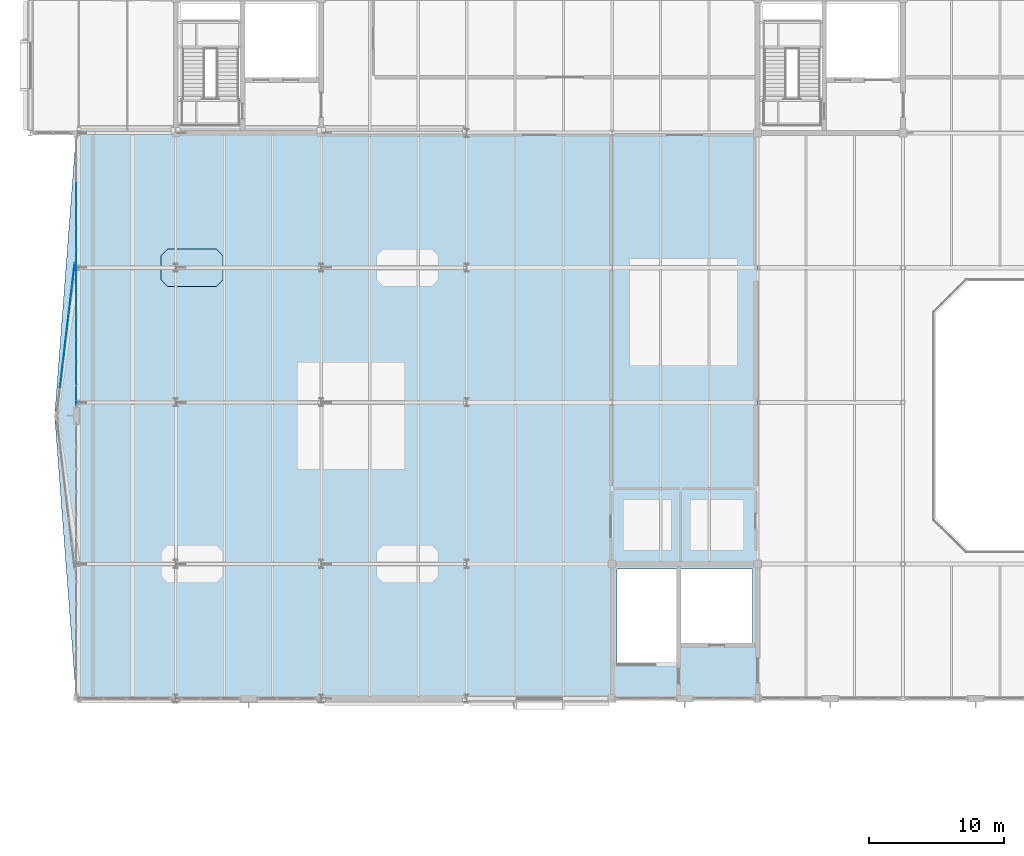
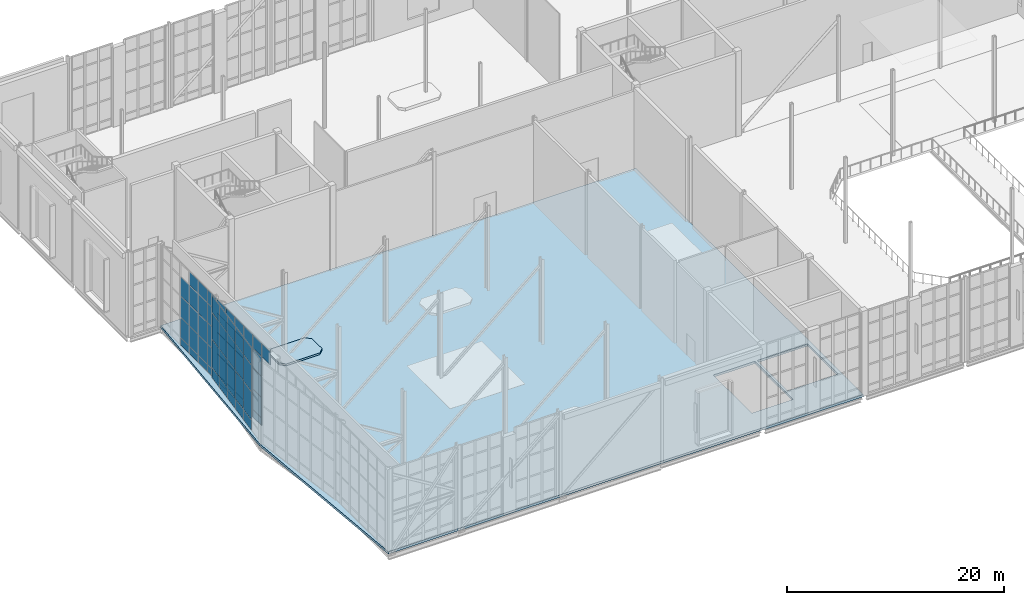
# One storey, part 64 of 100: 65 plates, 2 slabs, 2 elements without a shape of their own.
"""IFC4 building model written with IfcOpenShell, lengths in metres."""

from ifc_helpers import new_model, si_unit, direction, frame, origin, origin_2d, place, context, subcontext, project, spatial, polyline, rectangle, outline, extrude, material, layer, layer_set, type_object, element, aggregate, save


model = new_model("IFC4")

# Units and contexts
model_context = context("Model", 3, precision=1e-05, world=origin(), true_north=direction((0.0, 1.0)))
body_context = subcontext(model_context, "Body", "Model", "MODEL_VIEW")
ifc_project = project(units=[si_unit("LENGTHUNIT", "METRE"), si_unit("AREAUNIT", "SQUARE_METRE"), si_unit("VOLUMEUNIT", "CUBIC_METRE"), si_unit("PLANEANGLEUNIT", "RADIAN"), si_unit("MASSUNIT", "GRAM", prefix="KILO")], contexts=[model_context])

# Site, building, storey
site_placement = place(None, origin())
site = spatial("IfcSite", under=ifc_project, at=site_placement, CompositionType="ELEMENT")
building_placement = place(site_placement, origin())
building = spatial("IfcBuilding", under=site, at=building_placement, Name="Tasgan Crest Museum", CompositionType="ELEMENT")
storey_placement = place(building_placement, frame((0.0, 0.0, 14.39990234375)))
storey = spatial("IfcBuildingStorey", under=building, at=storey_placement, Name="L03", CompositionType="ELEMENT", Elevation=14.39990234375)

# Curtain wall, plates
ifc_material_1 = material(Name="Triple-Glazed Aluminium Curtain Wall", Category="aluminium")
ifc_layer_1 = layer(ifc_material_1, 0.179931640625, Name="CW-CANT-TIP-96")
ifc_layer_set_1 = layer_set([ifc_layer_1], Name="Triple-Glazed Aluminium Curtain Wall")
curtain_wall_type = type_object("IfcCurtainWallType", Name="CW-CANT-TIP-96", PredefinedType="NOTDEFINED", material=ifc_layer_set_1)
curtain_wall_1_placement = place(storey_placement, origin())
curtain_wall_1 = element("IfcCurtainWall", 1, at=curtain_wall_1_placement, inside=storey, type_object=curtain_wall_type, Name="Curtain wall L03 138", PredefinedType="NOTDEFINED")
ifc_material_2 = material(Name="Insulated Spandrel Glass", Category="glass")
ifc_layer_2 = layer(ifc_material_2, 0.052001953125, Name="CW-PANEL-SPANDREL")
ifc_layer_set_2 = layer_set([ifc_layer_2], Name="Insulated Spandrel Glass")
plate_type_1 = type_object("IfcPlateType", Name="CW-PANEL-SPANDREL", PredefinedType="CURTAIN_PANEL", material=ifc_layer_set_2)
plate_1_placement = place(storey_placement, frame((3.39990234375, 77.470458984375, 0.06005859375), z_axis=(0.0, 0.0, 1.0), x_axis=(0.0, -1.0, 0.0)))
plate_1 = element("IfcPlate", 2, at=plate_1_placement, type_object=plate_type_1, Name="CW10 panel 3.1", PredefinedType="CURTAIN_PANEL", context=body_context, shape_type="SweptSolid", body=[
    extrude(rectangle(XDim=1.605712890625, YDim=0.028076171875, at=origin_2d()), origin(), (0.0, 0.0, 1.0), 0.81005859375),
])
plate_2_placement = place(storey_placement, frame((3.39990234375, 75.8046875, 0.06005859375), z_axis=(0.0, 0.0, 1.0), x_axis=(0.0, -1.0, 0.0)))
plate_2 = element("IfcPlate", 3, at=plate_2_placement, type_object=plate_type_1, Name="CW10 panel 4.1", PredefinedType="CURTAIN_PANEL", context=body_context, shape_type="SweptSolid", body=[
    extrude(rectangle(XDim=1.605712890625, YDim=0.028076171875, at=origin_2d()), origin(), (0.0, 0.0, 1.0), 0.81005859375),
])
plate_3_placement = place(storey_placement, frame((3.39990234375, 74.138671875, 0.06005859375), z_axis=(0.0, 0.0, 1.0), x_axis=(0.0, -1.0, 0.0)))
plate_3 = element("IfcPlate", 4, at=plate_3_placement, type_object=plate_type_1, Name="CW10 panel 5.1", PredefinedType="CURTAIN_PANEL", context=body_context, shape_type="SweptSolid", body=[
    extrude(rectangle(XDim=1.605712890625, YDim=0.028076171875, at=origin_2d()), origin(), (0.0, 0.0, 1.0), 0.81005859375),
])
plate_4_placement = place(storey_placement, frame((3.39990234375, 72.472900390625, 0.06005859375), z_axis=(0.0, 0.0, 1.0), x_axis=(0.0, -1.0, 0.0)))
plate_4 = element("IfcPlate", 5, at=plate_4_placement, type_object=plate_type_1, Name="CW10 panel 6.1", PredefinedType="CURTAIN_PANEL", context=body_context, shape_type="SweptSolid", body=[
    extrude(rectangle(XDim=1.605712890625, YDim=0.028076171875, at=origin_2d()), origin(), (0.0, 0.0, 1.0), 0.81005859375),
])
plate_5_placement = place(storey_placement, frame((3.39990234375, 70.80712890625, 0.06005859375), z_axis=(0.0, 0.0, 1.0), x_axis=(0.0, -1.0, 0.0)))
plate_5 = element("IfcPlate", 6, at=plate_5_placement, type_object=plate_type_1, Name="CW10 panel 7.1", PredefinedType="CURTAIN_PANEL", context=body_context, shape_type="SweptSolid", body=[
    extrude(rectangle(XDim=1.605712890625, YDim=0.028076171875, at=origin_2d()), origin(), (0.0, 0.0, 1.0), 0.81005859375),
])
plate_6_placement = place(storey_placement, frame((3.39990234375, 69.141357421875, 0.06005859375), z_axis=(0.0, 0.0, 1.0), x_axis=(0.0, -1.0, 0.0)))
plate_6 = element("IfcPlate", 7, at=plate_6_placement, type_object=plate_type_1, Name="CW10 panel 8.1", PredefinedType="CURTAIN_PANEL", context=body_context, shape_type="SweptSolid", body=[
    extrude(rectangle(XDim=1.605712890625, YDim=0.028076171875, at=origin_2d()), origin(), (0.0, 0.0, 1.0), 0.81005859375),
])
plate_7_placement = place(storey_placement, frame((3.39990234375, 67.475341796875, 0.06005859375), z_axis=(0.0, 0.0, 1.0), x_axis=(0.0, -1.0, 0.0)))
plate_7 = element("IfcPlate", 8, at=plate_7_placement, type_object=plate_type_1, Name="CW10 panel 9.1", PredefinedType="CURTAIN_PANEL", context=body_context, shape_type="SweptSolid", body=[
    extrude(rectangle(XDim=1.605712890625, YDim=0.028076171875, at=origin_2d()), origin(), (0.0, 0.0, 1.0), 0.81005859375),
])
plate_8_placement = place(storey_placement, frame((3.39990234375, 65.8095703125, 0.06005859375), z_axis=(0.0, 0.0, 1.0), x_axis=(0.0, -1.0, 0.0)))
plate_8 = element("IfcPlate", 9, at=plate_8_placement, type_object=plate_type_1, Name="CW10 panel 10.1", PredefinedType="CURTAIN_PANEL", context=body_context, shape_type="SweptSolid", body=[
    extrude(rectangle(XDim=1.605712890625, YDim=0.028076171875, at=origin_2d()), origin(), (0.0, 0.0, 1.0), 0.81005859375),
])
plate_9_placement = place(storey_placement, frame((3.39990234375, 64.143798828125, 0.06005859375), z_axis=(0.0, 0.0, 1.0), x_axis=(0.0, -1.0, 0.0)))
plate_9 = element("IfcPlate", 10, at=plate_9_placement, type_object=plate_type_1, Name="CW10 panel 11.1", PredefinedType="CURTAIN_PANEL", context=body_context, shape_type="SweptSolid", body=[
    extrude(rectangle(XDim=1.605712890625, YDim=0.028076171875, at=origin_2d()), origin(), (0.0, 0.0, 1.0), 0.81005859375),
])
ifc_material_3 = material(Name="Low-E Triple Glazing", Category="glass")
ifc_layer_3 = layer(ifc_material_3, 0.0439453125, Name="CW-PANEL-TRIPLE")
ifc_layer_set_3 = layer_set([ifc_layer_3], Name="Low-E Triple Glazing")
plate_type_2 = type_object("IfcPlateType", Name="CW-PANEL-TRIPLE", PredefinedType="CURTAIN_PANEL", material=ifc_layer_set_3)
plate_10_placement = place(storey_placement, frame((3.39990234375, 77.470458984375, 0.93017578125), z_axis=(0.0, 0.0, 1.0), x_axis=(0.0, -1.0, 0.0)))
plate_10 = element("IfcPlate", 11, at=plate_10_placement, type_object=plate_type_2, Name="CW10 panel 3.2", PredefinedType="CURTAIN_PANEL", context=body_context, shape_type="SweptSolid", body=[
    extrude(rectangle(XDim=1.605712890625, YDim=0.028076171875, at=origin_2d()), origin(), (0.0, 0.0, 1.0), 2.239990234375),
])
plate_11_placement = place(storey_placement, frame((3.39990234375, 77.470458984375, 3.22998046875), z_axis=(0.0, 0.0, 1.0), x_axis=(0.0, -1.0, 0.0)))
plate_11 = element("IfcPlate", 12, at=plate_11_placement, type_object=plate_type_2, Name="CW10 panel 3.3", PredefinedType="CURTAIN_PANEL", context=body_context, shape_type="SweptSolid", body=[
    extrude(rectangle(XDim=1.605712890625, YDim=0.028076171875, at=origin_2d()), origin(), (0.0, 0.0, 1.0), 2.340087890625),
])
plate_12_placement = place(storey_placement, frame((3.39990234375, 77.470458984375, 5.63037109375), z_axis=(0.0, 0.0, 1.0), x_axis=(0.0, -1.0, 0.0)))
plate_12 = element("IfcPlate", 13, at=plate_12_placement, type_object=plate_type_2, Name="CW10 panel 3.4", PredefinedType="CURTAIN_PANEL", context=body_context, shape_type="SweptSolid", body=[
    extrude(rectangle(XDim=1.605712890625, YDim=0.028076171875, at=origin_2d()), origin(), (0.0, 0.0, 1.0), 2.139892578125),
])
plate_13_placement = place(storey_placement, frame((3.39990234375, 75.8046875, 0.93017578125), z_axis=(0.0, 0.0, 1.0), x_axis=(0.0, -1.0, 0.0)))
plate_13 = element("IfcPlate", 14, at=plate_13_placement, type_object=plate_type_2, Name="CW10 panel 4.2", PredefinedType="CURTAIN_PANEL", context=body_context, shape_type="SweptSolid", body=[
    extrude(rectangle(XDim=1.605712890625, YDim=0.028076171875, at=origin_2d()), origin(), (0.0, 0.0, 1.0), 2.239990234375),
])
plate_14_placement = place(storey_placement, frame((3.39990234375, 75.8046875, 3.22998046875), z_axis=(0.0, 0.0, 1.0), x_axis=(0.0, -1.0, 0.0)))
plate_14 = element("IfcPlate", 15, at=plate_14_placement, type_object=plate_type_2, Name="CW10 panel 4.3", PredefinedType="CURTAIN_PANEL", context=body_context, shape_type="SweptSolid", body=[
    extrude(rectangle(XDim=1.605712890625, YDim=0.028076171875, at=origin_2d()), origin(), (0.0, 0.0, 1.0), 2.340087890625),
])
plate_15_placement = place(storey_placement, frame((3.39990234375, 75.8046875, 5.63037109375), z_axis=(0.0, 0.0, 1.0), x_axis=(0.0, -1.0, 0.0)))
plate_15 = element("IfcPlate", 16, at=plate_15_placement, type_object=plate_type_2, Name="CW10 panel 4.4", PredefinedType="CURTAIN_PANEL", context=body_context, shape_type="SweptSolid", body=[
    extrude(rectangle(XDim=1.605712890625, YDim=0.028076171875, at=origin_2d()), origin(), (0.0, 0.0, 1.0), 2.139892578125),
])
plate_16_placement = place(storey_placement, frame((3.39990234375, 75.8046875, 7.830078125), z_axis=(0.0, 0.0, 1.0), x_axis=(0.0, -1.0, 0.0)))
plate_16 = element("IfcPlate", 17, at=plate_16_placement, type_object=plate_type_2, Name="CW10 panel 4.5", PredefinedType="CURTAIN_PANEL", context=body_context, shape_type="SweptSolid", body=[
    extrude(rectangle(XDim=1.605712890625, YDim=0.028076171875, at=origin_2d()), origin(), (0.0, 0.0, 1.0), 1.469970703125),
])
plate_17_placement = place(storey_placement, frame((3.39990234375, 74.138671875, 0.93017578125), z_axis=(0.0, 0.0, 1.0), x_axis=(0.0, -1.0, 0.0)))
plate_17 = element("IfcPlate", 18, at=plate_17_placement, type_object=plate_type_2, Name="CW10 panel 5.2", PredefinedType="CURTAIN_PANEL", context=body_context, shape_type="SweptSolid", body=[
    extrude(rectangle(XDim=1.605712890625, YDim=0.028076171875, at=origin_2d()), origin(), (0.0, 0.0, 1.0), 2.239990234375),
])
plate_18_placement = place(storey_placement, frame((3.39990234375, 74.138671875, 3.22998046875), z_axis=(0.0, 0.0, 1.0), x_axis=(0.0, -1.0, 0.0)))
plate_18 = element("IfcPlate", 19, at=plate_18_placement, type_object=plate_type_2, Name="CW10 panel 5.3", PredefinedType="CURTAIN_PANEL", context=body_context, shape_type="SweptSolid", body=[
    extrude(rectangle(XDim=1.605712890625, YDim=0.028076171875, at=origin_2d()), origin(), (0.0, 0.0, 1.0), 2.340087890625),
])
plate_19_placement = place(storey_placement, frame((3.39990234375, 74.138671875, 5.63037109375), z_axis=(0.0, 0.0, 1.0), x_axis=(0.0, -1.0, 0.0)))
plate_19 = element("IfcPlate", 20, at=plate_19_placement, type_object=plate_type_2, Name="CW10 panel 5.4", PredefinedType="CURTAIN_PANEL", context=body_context, shape_type="SweptSolid", body=[
    extrude(rectangle(XDim=1.605712890625, YDim=0.028076171875, at=origin_2d()), origin(), (0.0, 0.0, 1.0), 2.139892578125),
])
plate_20_placement = place(storey_placement, frame((3.39990234375, 74.138671875, 7.830078125), z_axis=(0.0, 0.0, 1.0), x_axis=(0.0, -1.0, 0.0)))
plate_20 = element("IfcPlate", 21, at=plate_20_placement, type_object=plate_type_2, Name="CW10 panel 5.5", PredefinedType="CURTAIN_PANEL", context=body_context, shape_type="SweptSolid", body=[
    extrude(rectangle(XDim=1.605712890625, YDim=0.028076171875, at=origin_2d()), origin(), (0.0, 0.0, 1.0), 1.469970703125),
])
plate_21_placement = place(storey_placement, frame((3.39990234375, 72.472900390625, 0.93017578125), z_axis=(0.0, 0.0, 1.0), x_axis=(0.0, -1.0, 0.0)))
plate_21 = element("IfcPlate", 22, at=plate_21_placement, type_object=plate_type_2, Name="CW10 panel 6.2", PredefinedType="CURTAIN_PANEL", context=body_context, shape_type="SweptSolid", body=[
    extrude(rectangle(XDim=1.605712890625, YDim=0.028076171875, at=origin_2d()), origin(), (0.0, 0.0, 1.0), 2.239990234375),
])
plate_22_placement = place(storey_placement, frame((3.39990234375, 72.472900390625, 3.22998046875), z_axis=(0.0, 0.0, 1.0), x_axis=(0.0, -1.0, 0.0)))
plate_22 = element("IfcPlate", 23, at=plate_22_placement, type_object=plate_type_2, Name="CW10 panel 6.3", PredefinedType="CURTAIN_PANEL", context=body_context, shape_type="SweptSolid", body=[
    extrude(rectangle(XDim=1.605712890625, YDim=0.028076171875, at=origin_2d()), origin(), (0.0, 0.0, 1.0), 2.340087890625),
])
plate_23_placement = place(storey_placement, frame((3.39990234375, 72.472900390625, 5.63037109375), z_axis=(0.0, 0.0, 1.0), x_axis=(0.0, -1.0, 0.0)))
plate_23 = element("IfcPlate", 24, at=plate_23_placement, type_object=plate_type_2, Name="CW10 panel 6.4", PredefinedType="CURTAIN_PANEL", context=body_context, shape_type="SweptSolid", body=[
    extrude(rectangle(XDim=1.605712890625, YDim=0.028076171875, at=origin_2d()), origin(), (0.0, 0.0, 1.0), 2.139892578125),
])
plate_24_placement = place(storey_placement, frame((3.39990234375, 72.472900390625, 7.830078125), z_axis=(0.0, 0.0, 1.0), x_axis=(0.0, -1.0, 0.0)))
plate_24 = element("IfcPlate", 25, at=plate_24_placement, type_object=plate_type_2, Name="CW10 panel 6.5", PredefinedType="CURTAIN_PANEL", context=body_context, shape_type="SweptSolid", body=[
    extrude(rectangle(XDim=1.605712890625, YDim=0.028076171875, at=origin_2d()), origin(), (0.0, 0.0, 1.0), 1.469970703125),
])
plate_25_placement = place(storey_placement, frame((3.39990234375, 70.80712890625, 0.93017578125), z_axis=(0.0, 0.0, 1.0), x_axis=(0.0, -1.0, 0.0)))
plate_25 = element("IfcPlate", 26, at=plate_25_placement, type_object=plate_type_2, Name="CW10 panel 7.2", PredefinedType="CURTAIN_PANEL", context=body_context, shape_type="SweptSolid", body=[
    extrude(rectangle(XDim=1.605712890625, YDim=0.028076171875, at=origin_2d()), origin(), (0.0, 0.0, 1.0), 2.239990234375),
])
plate_26_placement = place(storey_placement, frame((3.39990234375, 70.80712890625, 3.22998046875), z_axis=(0.0, 0.0, 1.0), x_axis=(0.0, -1.0, 0.0)))
plate_26 = element("IfcPlate", 27, at=plate_26_placement, type_object=plate_type_2, Name="CW10 panel 7.3", PredefinedType="CURTAIN_PANEL", context=body_context, shape_type="SweptSolid", body=[
    extrude(rectangle(XDim=1.605712890625, YDim=0.028076171875, at=origin_2d()), origin(), (0.0, 0.0, 1.0), 2.340087890625),
])
plate_27_placement = place(storey_placement, frame((3.39990234375, 70.80712890625, 5.63037109375), z_axis=(0.0, 0.0, 1.0), x_axis=(0.0, -1.0, 0.0)))
plate_27 = element("IfcPlate", 28, at=plate_27_placement, type_object=plate_type_2, Name="CW10 panel 7.4", PredefinedType="CURTAIN_PANEL", context=body_context, shape_type="SweptSolid", body=[
    extrude(rectangle(XDim=1.605712890625, YDim=0.028076171875, at=origin_2d()), origin(), (0.0, 0.0, 1.0), 2.139892578125),
])
plate_28_placement = place(storey_placement, frame((3.39990234375, 70.80712890625, 7.830078125), z_axis=(0.0, 0.0, 1.0), x_axis=(0.0, -1.0, 0.0)))
plate_28 = element("IfcPlate", 29, at=plate_28_placement, type_object=plate_type_2, Name="CW10 panel 7.5", PredefinedType="CURTAIN_PANEL", context=body_context, shape_type="SweptSolid", body=[
    extrude(rectangle(XDim=1.605712890625, YDim=0.028076171875, at=origin_2d()), origin(), (0.0, 0.0, 1.0), 1.469970703125),
])
plate_29_placement = place(storey_placement, frame((3.39990234375, 69.141357421875, 0.93017578125), z_axis=(0.0, 0.0, 1.0), x_axis=(0.0, -1.0, 0.0)))
plate_29 = element("IfcPlate", 30, at=plate_29_placement, type_object=plate_type_2, Name="CW10 panel 8.2", PredefinedType="CURTAIN_PANEL", context=body_context, shape_type="SweptSolid", body=[
    extrude(rectangle(XDim=1.605712890625, YDim=0.028076171875, at=origin_2d()), origin(), (0.0, 0.0, 1.0), 2.239990234375),
])
plate_30_placement = place(storey_placement, frame((3.39990234375, 69.141357421875, 3.22998046875), z_axis=(0.0, 0.0, 1.0), x_axis=(0.0, -1.0, 0.0)))
plate_30 = element("IfcPlate", 31, at=plate_30_placement, type_object=plate_type_2, Name="CW10 panel 8.3", PredefinedType="CURTAIN_PANEL", context=body_context, shape_type="SweptSolid", body=[
    extrude(rectangle(XDim=1.605712890625, YDim=0.028076171875, at=origin_2d()), origin(), (0.0, 0.0, 1.0), 2.340087890625),
])
plate_31_placement = place(storey_placement, frame((3.39990234375, 69.141357421875, 5.63037109375), z_axis=(0.0, 0.0, 1.0), x_axis=(0.0, -1.0, 0.0)))
plate_31 = element("IfcPlate", 32, at=plate_31_placement, type_object=plate_type_2, Name="CW10 panel 8.4", PredefinedType="CURTAIN_PANEL", context=body_context, shape_type="SweptSolid", body=[
    extrude(rectangle(XDim=1.605712890625, YDim=0.028076171875, at=origin_2d()), origin(), (0.0, 0.0, 1.0), 2.139892578125),
])
plate_32_placement = place(storey_placement, frame((3.39990234375, 69.141357421875, 7.830078125), z_axis=(0.0, 0.0, 1.0), x_axis=(0.0, -1.0, 0.0)))
plate_32 = element("IfcPlate", 33, at=plate_32_placement, type_object=plate_type_2, Name="CW10 panel 8.5", PredefinedType="CURTAIN_PANEL", context=body_context, shape_type="SweptSolid", body=[
    extrude(rectangle(XDim=1.605712890625, YDim=0.028076171875, at=origin_2d()), origin(), (0.0, 0.0, 1.0), 1.469970703125),
])
plate_33_placement = place(storey_placement, frame((3.39990234375, 67.475341796875, 0.93017578125), z_axis=(0.0, 0.0, 1.0), x_axis=(0.0, -1.0, 0.0)))
plate_33 = element("IfcPlate", 34, at=plate_33_placement, type_object=plate_type_2, Name="CW10 panel 9.2", PredefinedType="CURTAIN_PANEL", context=body_context, shape_type="SweptSolid", body=[
    extrude(rectangle(XDim=1.605712890625, YDim=0.028076171875, at=origin_2d()), origin(), (0.0, 0.0, 1.0), 2.239990234375),
])
plate_34_placement = place(storey_placement, frame((3.39990234375, 67.475341796875, 3.22998046875), z_axis=(0.0, 0.0, 1.0), x_axis=(0.0, -1.0, 0.0)))
plate_34 = element("IfcPlate", 35, at=plate_34_placement, type_object=plate_type_2, Name="CW10 panel 9.3", PredefinedType="CURTAIN_PANEL", context=body_context, shape_type="SweptSolid", body=[
    extrude(rectangle(XDim=1.605712890625, YDim=0.028076171875, at=origin_2d()), origin(), (0.0, 0.0, 1.0), 2.340087890625),
])
plate_35_placement = place(storey_placement, frame((3.39990234375, 67.475341796875, 5.63037109375), z_axis=(0.0, 0.0, 1.0), x_axis=(0.0, -1.0, 0.0)))
plate_35 = element("IfcPlate", 36, at=plate_35_placement, type_object=plate_type_2, Name="CW10 panel 9.4", PredefinedType="CURTAIN_PANEL", context=body_context, shape_type="SweptSolid", body=[
    extrude(rectangle(XDim=1.605712890625, YDim=0.028076171875, at=origin_2d()), origin(), (0.0, 0.0, 1.0), 2.139892578125),
])
plate_36_placement = place(storey_placement, frame((3.39990234375, 67.475341796875, 7.830078125), z_axis=(0.0, 0.0, 1.0), x_axis=(0.0, -1.0, 0.0)))
plate_36 = element("IfcPlate", 37, at=plate_36_placement, type_object=plate_type_2, Name="CW10 panel 9.5", PredefinedType="CURTAIN_PANEL", context=body_context, shape_type="SweptSolid", body=[
    extrude(rectangle(XDim=1.605712890625, YDim=0.028076171875, at=origin_2d()), origin(), (0.0, 0.0, 1.0), 1.469970703125),
])
plate_37_placement = place(storey_placement, frame((3.39990234375, 65.8095703125, 0.93017578125), z_axis=(0.0, 0.0, 1.0), x_axis=(0.0, -1.0, 0.0)))
plate_37 = element("IfcPlate", 38, at=plate_37_placement, type_object=plate_type_2, Name="CW10 panel 10.2", PredefinedType="CURTAIN_PANEL", context=body_context, shape_type="SweptSolid", body=[
    extrude(rectangle(XDim=1.605712890625, YDim=0.028076171875, at=origin_2d()), origin(), (0.0, 0.0, 1.0), 2.239990234375),
])
plate_38_placement = place(storey_placement, frame((3.39990234375, 65.8095703125, 3.22998046875), z_axis=(0.0, 0.0, 1.0), x_axis=(0.0, -1.0, 0.0)))
plate_38 = element("IfcPlate", 39, at=plate_38_placement, type_object=plate_type_2, Name="CW10 panel 10.3", PredefinedType="CURTAIN_PANEL", context=body_context, shape_type="SweptSolid", body=[
    extrude(rectangle(XDim=1.605712890625, YDim=0.028076171875, at=origin_2d()), origin(), (0.0, 0.0, 1.0), 2.340087890625),
])
plate_39_placement = place(storey_placement, frame((3.39990234375, 65.8095703125, 5.63037109375), z_axis=(0.0, 0.0, 1.0), x_axis=(0.0, -1.0, 0.0)))
plate_39 = element("IfcPlate", 40, at=plate_39_placement, type_object=plate_type_2, Name="CW10 panel 10.4", PredefinedType="CURTAIN_PANEL", context=body_context, shape_type="SweptSolid", body=[
    extrude(rectangle(XDim=1.605712890625, YDim=0.028076171875, at=origin_2d()), origin(), (0.0, 0.0, 1.0), 2.139892578125),
])
plate_40_placement = place(storey_placement, frame((3.39990234375, 65.8095703125, 7.830078125), z_axis=(0.0, 0.0, 1.0), x_axis=(0.0, -1.0, 0.0)))
plate_40 = element("IfcPlate", 41, at=plate_40_placement, type_object=plate_type_2, Name="CW10 panel 10.5", PredefinedType="CURTAIN_PANEL", context=body_context, shape_type="SweptSolid", body=[
    extrude(rectangle(XDim=1.605712890625, YDim=0.028076171875, at=origin_2d()), origin(), (0.0, 0.0, 1.0), 1.469970703125),
])
plate_41_placement = place(storey_placement, frame((3.39990234375, 64.143798828125, 0.93017578125), z_axis=(0.0, 0.0, 1.0), x_axis=(0.0, -1.0, 0.0)))
plate_41 = element("IfcPlate", 42, at=plate_41_placement, type_object=plate_type_2, Name="CW10 panel 11.2", PredefinedType="CURTAIN_PANEL", context=body_context, shape_type="SweptSolid", body=[
    extrude(rectangle(XDim=1.605712890625, YDim=0.028076171875, at=origin_2d()), origin(), (0.0, 0.0, 1.0), 2.239990234375),
])
plate_42_placement = place(storey_placement, frame((3.39990234375, 64.143798828125, 3.22998046875), z_axis=(0.0, 0.0, 1.0), x_axis=(0.0, -1.0, 0.0)))
plate_42 = element("IfcPlate", 43, at=plate_42_placement, type_object=plate_type_2, Name="CW10 panel 11.3", PredefinedType="CURTAIN_PANEL", context=body_context, shape_type="SweptSolid", body=[
    extrude(rectangle(XDim=1.605712890625, YDim=0.028076171875, at=origin_2d()), origin(), (0.0, 0.0, 1.0), 2.340087890625),
])
plate_43_placement = place(storey_placement, frame((3.39990234375, 64.143798828125, 5.63037109375), z_axis=(0.0, 0.0, 1.0), x_axis=(0.0, -1.0, 0.0)))
plate_43 = element("IfcPlate", 44, at=plate_43_placement, type_object=plate_type_2, Name="CW10 panel 11.4", PredefinedType="CURTAIN_PANEL", context=body_context, shape_type="SweptSolid", body=[
    extrude(rectangle(XDim=1.605712890625, YDim=0.028076171875, at=origin_2d()), origin(), (0.0, 0.0, 1.0), 2.139892578125),
])
plate_44_placement = place(storey_placement, frame((3.39990234375, 64.143798828125, 7.830078125), z_axis=(0.0, 0.0, 1.0), x_axis=(0.0, -1.0, 0.0)))
plate_44 = element("IfcPlate", 45, at=plate_44_placement, type_object=plate_type_2, Name="CW10 panel 11.5", PredefinedType="CURTAIN_PANEL", context=body_context, shape_type="SweptSolid", body=[
    extrude(rectangle(XDim=1.605712890625, YDim=0.028076171875, at=origin_2d()), origin(), (0.0, 0.0, 1.0), 1.469970703125),
])
plate_45_placement = place(storey_placement, frame((3.39990234375, 62.492919921875, 7.830078125), z_axis=(0.0, 0.0, 1.0), x_axis=(0.0, -1.0, 0.0)))
plate_45 = element("IfcPlate", 46, at=plate_45_placement, type_object=plate_type_2, Name="CW10 panel 12.5", PredefinedType="CURTAIN_PANEL", context=body_context, shape_type="SweptSolid", body=[
    extrude(rectangle(XDim=1.575927734375, YDim=0.028076171875, at=origin_2d()), origin(), (0.0, 0.0, 1.0), 1.469970703125),
])
aggregate(curtain_wall_1, [plate_1, plate_10, plate_11, plate_12, plate_2, plate_13, plate_14, plate_15, plate_16, plate_3, plate_17, plate_18, plate_19, plate_20, plate_4, plate_21, plate_22, plate_23, plate_24, plate_5, plate_25, plate_26, plate_27, plate_28, plate_6, plate_29, plate_30, plate_31, plate_32, plate_7, plate_33, plate_34, plate_35, plate_36, plate_8, plate_37, plate_38, plate_39, plate_40, plate_9, plate_41, plate_42, plate_43, plate_44, plate_45])

curtain_wall_2_placement = place(storey_placement, origin())
curtain_wall_2 = element("IfcCurtainWall", 47, at=curtain_wall_2_placement, inside=storey, type_object=curtain_wall_type, Name="Cantilevered prow curtain wall L03 PROW-N", PredefinedType="NOTDEFINED")
plate_46_placement = place(storey_placement, frame((2.31005859375, 64.03759765625, 0.06005859375), z_axis=(0.0, 0.0, 1.0), x_axis=(0.117564672774, 0.993065228329, 0.0)))
plate_46 = element("IfcPlate", 48, at=plate_46_placement, type_object=plate_type_2, Name="CW10 panel 2.1", PredefinedType="CURTAIN_PANEL", context=body_context, shape_type="SweptSolid", body=[
    extrude(rectangle(XDim=1.811279296875, YDim=0.028076171875, at=origin_2d()), origin(), (0.0, 0.0, 1.0), 1.110107421875),
])
plate_47_placement = place(storey_placement, frame((2.31005859375, 64.03759765625, 1.22998046875), z_axis=(0.0, 0.0, 1.0), x_axis=(0.117564672774, 0.993065228329, 0.0)))
plate_47 = element("IfcPlate", 49, at=plate_47_placement, type_object=plate_type_2, Name="CW10 panel 2.2", PredefinedType="CURTAIN_PANEL", context=body_context, shape_type="SweptSolid", body=[
    extrude(rectangle(XDim=1.811279296875, YDim=0.028076171875, at=origin_2d()), origin(), (0.0, 0.0, 1.0), 3.139892578125),
])
plate_48_placement = place(storey_placement, frame((2.31005859375, 64.03759765625, 4.43017578125), z_axis=(0.0, 0.0, 1.0), x_axis=(0.117564672774, 0.993065228329, 0.0)))
plate_48 = element("IfcPlate", 50, at=plate_48_placement, type_object=plate_type_2, Name="CW10 panel 2.3", PredefinedType="CURTAIN_PANEL", context=body_context, shape_type="SweptSolid", body=[
    extrude(rectangle(XDim=1.811279296875, YDim=0.028076171875, at=origin_2d()), origin(), (0.0, 0.0, 1.0), 2.93994140625),
])
plate_49_placement = place(storey_placement, frame((2.31005859375, 64.03759765625, 7.429931640625), z_axis=(0.0, 0.0, 1.0), x_axis=(0.117564672774, 0.993065228329, 0.0)))
plate_49 = element("IfcPlate", 51, at=plate_49_placement, type_object=plate_type_2, Name="CW10 panel 2.4", PredefinedType="CURTAIN_PANEL", context=body_context, shape_type="SweptSolid", body=[
    extrude(rectangle(XDim=1.811279296875, YDim=0.028076171875, at=origin_2d()), origin(), (0.0, 0.0, 1.0), 1.8701171875),
])
plate_50_placement = place(storey_placement, frame((2.530029296875, 65.895751953125, 0.06005859375), z_axis=(0.0, 0.0, 1.0), x_axis=(0.117564672774, 0.993065228329, 0.0)))
plate_50 = element("IfcPlate", 52, at=plate_50_placement, type_object=plate_type_2, Name="CW10 panel 3.1", PredefinedType="CURTAIN_PANEL", context=body_context, shape_type="SweptSolid", body=[
    extrude(rectangle(XDim=1.811279296875, YDim=0.028076171875, at=origin_2d()), origin(), (0.0, 0.0, 1.0), 1.110107421875),
])
plate_51_placement = place(storey_placement, frame((2.530029296875, 65.895751953125, 1.22998046875), z_axis=(0.0, 0.0, 1.0), x_axis=(0.117564672774, 0.993065228329, 0.0)))
plate_51 = element("IfcPlate", 53, at=plate_51_placement, type_object=plate_type_2, Name="CW10 panel 3.2", PredefinedType="CURTAIN_PANEL", context=body_context, shape_type="SweptSolid", body=[
    extrude(rectangle(XDim=1.811279296875, YDim=0.028076171875, at=origin_2d()), origin(), (0.0, 0.0, 1.0), 3.139892578125),
])
plate_52_placement = place(storey_placement, frame((2.530029296875, 65.895751953125, 4.43017578125), z_axis=(0.0, 0.0, 1.0), x_axis=(0.117564672774, 0.993065228329, 0.0)))
plate_52 = element("IfcPlate", 54, at=plate_52_placement, type_object=plate_type_2, Name="CW10 panel 3.3", PredefinedType="CURTAIN_PANEL", context=body_context, shape_type="SweptSolid", body=[
    extrude(rectangle(XDim=1.811279296875, YDim=0.028076171875, at=origin_2d()), origin(), (0.0, 0.0, 1.0), 2.93994140625),
])
plate_53_placement = place(storey_placement, frame((2.530029296875, 65.895751953125, 7.429931640625), z_axis=(0.0, 0.0, 1.0), x_axis=(0.117564672774, 0.993065228329, 0.0)))
plate_53 = element("IfcPlate", 55, at=plate_53_placement, type_object=plate_type_2, Name="CW10 panel 3.4", PredefinedType="CURTAIN_PANEL", context=body_context, shape_type="SweptSolid", body=[
    extrude(rectangle(XDim=1.811279296875, YDim=0.028076171875, at=origin_2d()), origin(), (0.0, 0.0, 1.0), 1.8701171875),
])
plate_54_placement = place(storey_placement, frame((2.75, 67.754150390625, 0.06005859375), z_axis=(0.0, 0.0, 1.0), x_axis=(0.117564672774, 0.993065228329, 0.0)))
plate_54 = element("IfcPlate", 56, at=plate_54_placement, type_object=plate_type_2, Name="CW10 panel 4.1", PredefinedType="CURTAIN_PANEL", context=body_context, shape_type="SweptSolid", body=[
    extrude(rectangle(XDim=1.811279296875, YDim=0.028076171875, at=origin_2d()), origin(), (0.0, 0.0, 1.0), 1.110107421875),
])
plate_55_placement = place(storey_placement, frame((2.75, 67.754150390625, 1.22998046875), z_axis=(0.0, 0.0, 1.0), x_axis=(0.117564672774, 0.993065228329, 0.0)))
plate_55 = element("IfcPlate", 57, at=plate_55_placement, type_object=plate_type_2, Name="CW10 panel 4.2", PredefinedType="CURTAIN_PANEL", context=body_context, shape_type="SweptSolid", body=[
    extrude(rectangle(XDim=1.811279296875, YDim=0.028076171875, at=origin_2d()), origin(), (0.0, 0.0, 1.0), 3.139892578125),
])
plate_56_placement = place(storey_placement, frame((2.75, 67.754150390625, 4.43017578125), z_axis=(0.0, 0.0, 1.0), x_axis=(0.117564672774, 0.993065228329, 0.0)))
plate_56 = element("IfcPlate", 58, at=plate_56_placement, type_object=plate_type_2, Name="CW10 panel 4.3", PredefinedType="CURTAIN_PANEL", context=body_context, shape_type="SweptSolid", body=[
    extrude(rectangle(XDim=1.811279296875, YDim=0.028076171875, at=origin_2d()), origin(), (0.0, 0.0, 1.0), 2.93994140625),
])
plate_57_placement = place(storey_placement, frame((2.75, 67.754150390625, 7.429931640625), z_axis=(0.0, 0.0, 1.0), x_axis=(0.117564672774, 0.993065228329, 0.0)))
plate_57 = element("IfcPlate", 59, at=plate_57_placement, type_object=plate_type_2, Name="CW10 panel 4.4", PredefinedType="CURTAIN_PANEL", context=body_context, shape_type="SweptSolid", body=[
    extrude(rectangle(XDim=1.811279296875, YDim=0.028076171875, at=origin_2d()), origin(), (0.0, 0.0, 1.0), 1.8701171875),
])
plate_58_placement = place(storey_placement, frame((2.969970703125, 69.612548828125, 0.06005859375), z_axis=(0.0, 0.0, 1.0), x_axis=(0.117564672774, 0.993065228329, 0.0)))
plate_58 = element("IfcPlate", 60, at=plate_58_placement, type_object=plate_type_2, Name="CW10 panel 5.1", PredefinedType="CURTAIN_PANEL", context=body_context, shape_type="SweptSolid", body=[
    extrude(rectangle(XDim=1.811279296875, YDim=0.028076171875, at=origin_2d()), origin(), (0.0, 0.0, 1.0), 1.110107421875),
])
plate_59_placement = place(storey_placement, frame((2.969970703125, 69.612548828125, 1.22998046875), z_axis=(0.0, 0.0, 1.0), x_axis=(0.117564672774, 0.993065228329, 0.0)))
plate_59 = element("IfcPlate", 61, at=plate_59_placement, type_object=plate_type_2, Name="CW10 panel 5.2", PredefinedType="CURTAIN_PANEL", context=body_context, shape_type="SweptSolid", body=[
    extrude(rectangle(XDim=1.811279296875, YDim=0.028076171875, at=origin_2d()), origin(), (0.0, 0.0, 1.0), 3.139892578125),
])
plate_60_placement = place(storey_placement, frame((2.969970703125, 69.612548828125, 4.43017578125), z_axis=(0.0, 0.0, 1.0), x_axis=(0.117564672774, 0.993065228329, 0.0)))
plate_60 = element("IfcPlate", 62, at=plate_60_placement, type_object=plate_type_2, Name="CW10 panel 5.3", PredefinedType="CURTAIN_PANEL", context=body_context, shape_type="SweptSolid", body=[
    extrude(rectangle(XDim=1.811279296875, YDim=0.028076171875, at=origin_2d()), origin(), (0.0, 0.0, 1.0), 2.93994140625),
])
plate_61_placement = place(storey_placement, frame((2.969970703125, 69.612548828125, 7.429931640625), z_axis=(0.0, 0.0, 1.0), x_axis=(0.117564672774, 0.993065228329, 0.0)))
plate_61 = element("IfcPlate", 63, at=plate_61_placement, type_object=plate_type_2, Name="CW10 panel 5.4", PredefinedType="CURTAIN_PANEL", context=body_context, shape_type="SweptSolid", body=[
    extrude(rectangle(XDim=1.811279296875, YDim=0.028076171875, at=origin_2d()), origin(), (0.0, 0.0, 1.0), 1.8701171875),
])
plate_62_placement = place(storey_placement, frame((3.188232421875, 71.4560546875, 0.06005859375), z_axis=(0.0, 0.0, 1.0), x_axis=(0.117564672774, 0.993065228329, 0.0)))
plate_62 = element("IfcPlate", 64, at=plate_62_placement, type_object=plate_type_2, Name="CW10 panel 6.1", PredefinedType="CURTAIN_PANEL", context=body_context, shape_type="SweptSolid", body=[
    extrude(rectangle(XDim=1.78125, YDim=0.028076171875, at=origin_2d()), origin(), (0.0, 0.0, 1.0), 1.110107421875),
])
plate_63_placement = place(storey_placement, frame((3.188232421875, 71.4560546875, 1.22998046875), z_axis=(0.0, 0.0, 1.0), x_axis=(0.117564672774, 0.993065228329, 0.0)))
plate_63 = element("IfcPlate", 65, at=plate_63_placement, type_object=plate_type_2, Name="CW10 panel 6.2", PredefinedType="CURTAIN_PANEL", context=body_context, shape_type="SweptSolid", body=[
    extrude(rectangle(XDim=1.78125, YDim=0.028076171875, at=origin_2d()), origin(), (0.0, 0.0, 1.0), 3.139892578125),
])
plate_64_placement = place(storey_placement, frame((3.188232421875, 71.4560546875, 4.43017578125), z_axis=(0.0, 0.0, 1.0), x_axis=(0.117564672774, 0.993065228329, 0.0)))
plate_64 = element("IfcPlate", 66, at=plate_64_placement, type_object=plate_type_2, Name="CW10 panel 6.3", PredefinedType="CURTAIN_PANEL", context=body_context, shape_type="SweptSolid", body=[
    extrude(rectangle(XDim=1.78125, YDim=0.028076171875, at=origin_2d()), origin(), (0.0, 0.0, 1.0), 2.93994140625),
])
plate_65_placement = place(storey_placement, frame((3.188232421875, 71.4560546875, 7.429931640625), z_axis=(0.0, 0.0, 1.0), x_axis=(0.117564672774, 0.993065228329, 0.0)))
plate_65 = element("IfcPlate", 67, at=plate_65_placement, type_object=plate_type_2, Name="CW10 panel 6.4", PredefinedType="CURTAIN_PANEL", context=body_context, shape_type="SweptSolid", body=[
    extrude(rectangle(XDim=1.78125, YDim=0.028076171875, at=origin_2d()), origin(), (0.0, 0.0, 1.0), 1.8701171875),
])
aggregate(curtain_wall_2, [plate_46, plate_47, plate_48, plate_49, plate_50, plate_51, plate_52, plate_53, plate_54, plate_55, plate_56, plate_57, plate_58, plate_59, plate_60, plate_61, plate_62, plate_63, plate_64, plate_65])

# Slabs
ifc_material_4 = material(Name="Concrete C35/45", Category="concrete")
ifc_layer_4 = layer(ifc_material_4, 0.2099609375, Name="SL-DAIS-T06")
ifc_layer_set_4 = layer_set([ifc_layer_4], Name="Concrete C35/45")
slab_type_1 = type_object("IfcSlabType", Name="SL-DAIS-T06", PredefinedType="FLOOR", material=ifc_layer_set_4)
slab_1_placement = place(storey_placement, origin())
element("IfcSlab", 68, at=slab_1_placement, inside=storey, type_object=slab_type_1, Name="Exhibition specimen dais L03-26", PredefinedType="FLOOR", context=body_context, shape_type="SweptSolid", body=[
    extrude(outline(polyline([(10.199951171875, 70.60009765625), (13.800048828125, 70.60009765625), (14.300048828125, 71.10009765625), (14.300048828125, 72.89990234375), (13.800048828125, 73.39990234375), (10.199951171875, 73.39990234375), (9.699951171875, 72.89990234375), (9.699951171875, 71.10009765625), (10.199951171875, 70.60009765625)])), origin(), (0.0, 0.0, 1.0), 0.210205078125),
])
ifc_material_5 = material(Name="Concrete C35/45", Category="concrete")
ifc_layer_5 = layer(ifc_material_5, 0.260009765625, Name="SL-FLR-260")
ifc_layer_set_5 = layer_set([ifc_layer_5], Name="Concrete C35/45")
slab_type_2 = type_object("IfcSlabType", Name="SL-FLR-260", PredefinedType="FLOOR", material=ifc_layer_set_5)
slab_2_placement = place(storey_placement, frame((0.0, 0.0, -0.260009765625)))
element("IfcSlab", 69, at=slab_2_placement, inside=storey, type_object=slab_type_2, Name="Floor slab L03 V4", PredefinedType="FLOOR", context=body_context, shape_type="SweptSolid", body=[
    extrude(outline(polyline([(3.39990234375, 40.0), (54.0, 40.0), (54.0, 82.0), (3.39990234375, 82.0), (1.800048828125, 61.0), (3.39990234375, 40.0)]), holes=[polyline([(43.580078125, 42.550048828125), (48.0, 42.550048828125), (48.0, 49.6201171875), (43.580078125, 49.6201171875), (43.580078125, 42.550048828125)]), polyline([(48.25, 44.0), (53.6201171875, 44.0), (53.6201171875, 49.6201171875), (48.25, 49.6201171875), (48.25, 44.0)])]), origin(), (0.0, 0.0, 1.0), 0.260009765625),
])

save(model, "model.ifc")
